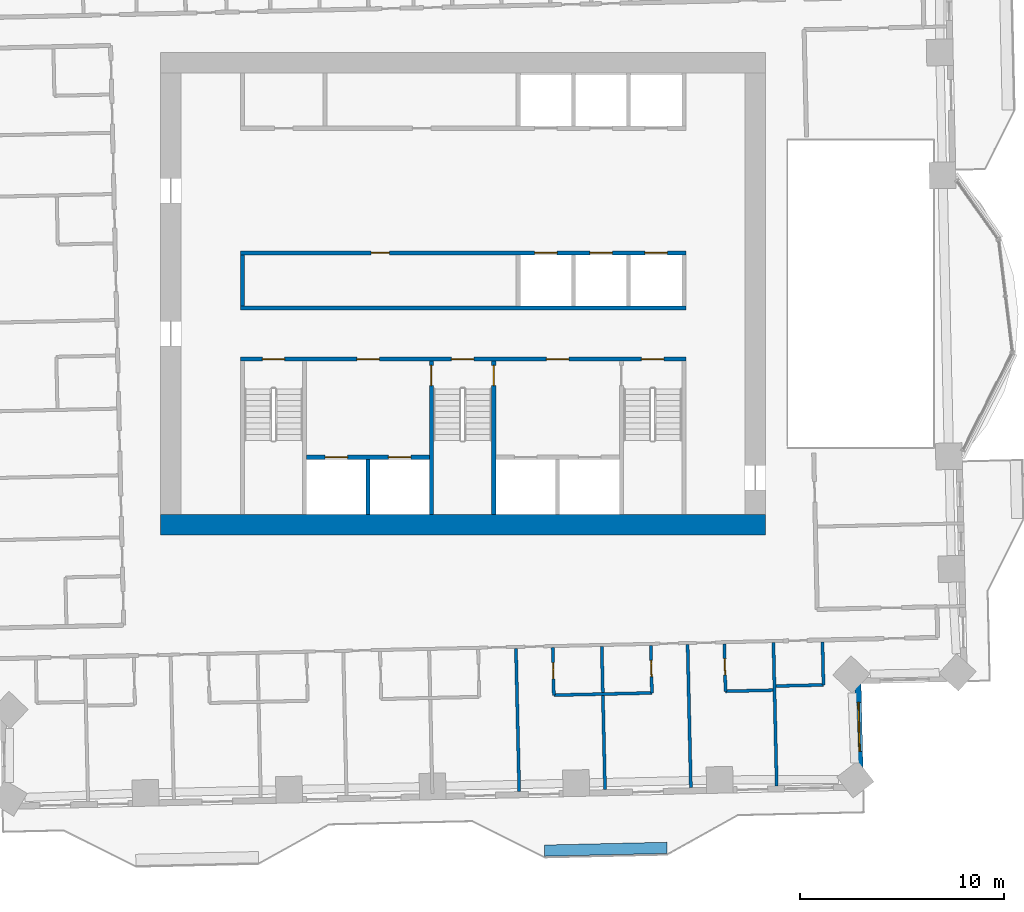
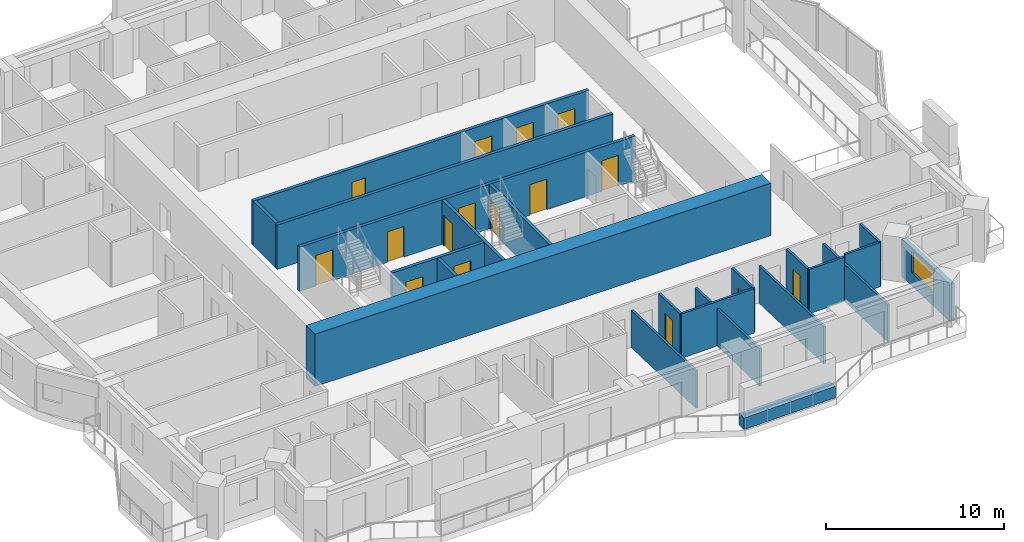
# One storey, part 8 of 16: 22 walls, 16 doors, 1 window, 17 openings.
"""IFC4 building model written with IfcOpenShell, lengths in metres."""

import ifcopenshell
import ifcopenshell.guid

model = None  # the IFC model being written
_history = None  # IfcOwnerHistory: only IFC2X3 demands one
_inside = {}  # id of a spatial element -> (the spatial element, [elements in it])
_under = {}  # id of a project, library or spatial element -> (it, [spatial elements below it])
_declared = {}  # id of a project -> (the project, [libraries it declares])
_typed = {}  # id of a type object -> (the type object, [elements of that type])
_made_of = {}  # id of a material, layer set ... -> (it, [elements and type objects made of it])


def new_model(schema):
    """Start an empty IFC model of exactly this schema.

    Asked for "IFC4X3", IfcOpenShell would pick the latest addendum, in which some entities
    have other attributes; the version numbers below select the first issue.
    IFC2X3 requires an IfcOwnerHistory on every rooted entity: one is made here for all.
    """
    global model, _history
    if schema == "IFC4X3":
        model = ifcopenshell.file(schema_version=(4, 3, 0, 0))
    else:
        model = ifcopenshell.file(schema=schema)
    _inside.clear()
    _under.clear()
    _declared.clear()
    _typed.clear()
    _made_of.clear()
    _history = None
    if model.schema == "IFC2X3":
        org = make("IfcOrganization", Name="unknown")
        user = make(
            "IfcPersonAndOrganization",
            ThePerson=make("IfcPerson", FamilyName="unknown"),
            TheOrganization=org,
        )
        app = make(
            "IfcApplication",
            ApplicationDeveloper=org,
            Version="unknown",
            ApplicationFullName="unknown",
            ApplicationIdentifier="unknown",
        )
        _history = make(
            "IfcOwnerHistory",
            OwningUser=user,
            OwningApplication=app,
            ChangeAction="ADDED",
            CreationDate=0,
        )
    return model


def make(cls, **values):
    """One entity of the class cls with the attributes given. An attribute that is None is left unset."""
    return model.create_entity(
        cls, **{name: value for name, value in values.items() if value is not None}
    )


def rooted(cls, **values):
    """An entity with a GlobalId (a new one), such as an element, a storey or a relation."""
    return make(cls, GlobalId=ifcopenshell.guid.new(), OwnerHistory=_history, **values)


def si_unit(unit_type, name, prefix=None):
    """IfcSIUnit, for example si_unit("LENGTHUNIT", "METRE", prefix="MILLI")."""
    return make("IfcSIUnit", UnitType=unit_type, Prefix=prefix, Name=name)


def assignment(units):
    """IfcUnitAssignment: the units of a project."""
    return None if units is None else make("IfcUnitAssignment", Units=units)


def point(xyz):
    """IfcCartesianPoint."""
    return None if xyz is None else make("IfcCartesianPoint", Coordinates=xyz)


def direction(xyz):
    """IfcDirection."""
    return None if xyz is None else make("IfcDirection", DirectionRatios=xyz)


def frame(location, z_axis=None, x_axis=None):
    """IfcAxis2Placement3D, a coordinate frame: its origin and axes. An axis left out is left unset."""
    return make(
        "IfcAxis2Placement3D",
        Location=point(location),
        Axis=direction(z_axis),
        RefDirection=direction(x_axis),
    )


def frame_2d(location, x_axis=None):
    """IfcAxis2Placement2D, a coordinate frame in the plane: its origin and x axis."""
    return make(
        "IfcAxis2Placement2D", Location=point(location), RefDirection=direction(x_axis)
    )


def origin():
    """The frame at (0, 0, 0) with its axes left unset."""
    return frame((0.0, 0.0, 0.0))


def place(relative_to, where):
    """IfcLocalPlacement: puts the frame where relative to a parent placement (None: the world)."""
    return make(
        "IfcLocalPlacement", PlacementRelTo=relative_to, RelativePlacement=where
    )


def context(
    kind, dimensions, precision=None, world=None, true_north=None, identifier=None
):
    """IfcGeometricRepresentationContext, for example the 3D "Model" context."""
    return make(
        "IfcGeometricRepresentationContext",
        ContextIdentifier=identifier,
        ContextType=kind,
        CoordinateSpaceDimension=dimensions,
        Precision=precision,
        WorldCoordinateSystem=world,
        TrueNorth=true_north,
    )


def subcontext(parent, identifier, kind, view, scale=None):
    """IfcGeometricRepresentationSubContext, for example "Body" below "Model"."""
    return make(
        "IfcGeometricRepresentationSubContext",
        ContextIdentifier=identifier,
        ContextType=kind,
        ParentContext=parent,
        TargetScale=scale,
        TargetView=view,
    )


def project(units=None, contexts=None):
    """IfcProject with its units and contexts."""
    return rooted(
        "IfcProject",
        Name="project",
        RepresentationContexts=contexts,
        UnitsInContext=assignment(units),
    )


def spatial(cls, under=None, at=None, **own):
    """A site, building, storey or space (cls), placed at a placement, below another one or the project."""
    s = rooted(cls, ObjectPlacement=at, **own)
    if under is not None:
        _under.setdefault(under.id(), (under, []))[1].append(s)
    return s


def profile(cls, at=None, kind="AREA", **sizes):
    """A parametric profile (cls). Its sizes go by their IFC names, for example OverallWidth=200.0."""
    return make(cls, ProfileType=kind, Position=at, **sizes)


def rectangle(**sizes):
    """IfcRectangleProfileDef."""
    return profile("IfcRectangleProfileDef", **sizes)


def extrude(swept, where, along, depth):
    """IfcExtrudedAreaSolid: the profile swept, set in the frame where, extruded along a direction by depth."""
    return make(
        "IfcExtrudedAreaSolid",
        SweptArea=swept,
        Position=where,
        ExtrudedDirection=direction(along),
        Depth=depth,
    )


def shape(context_of_items, identifier, shape_type, items):
    """IfcShapeRepresentation: the items that make up one representation, for example the "Body"."""
    return make(
        "IfcShapeRepresentation",
        ContextOfItems=context_of_items,
        RepresentationIdentifier=identifier,
        RepresentationType=shape_type,
        Items=items,
    )


def material(Name=None, Category=None):
    """IfcMaterial."""
    return make("IfcMaterial", Name=Name, Category=Category)


def layer(
    of_material, thickness, ventilated=None, Name=None, Category=None, Priority=None
):
    """IfcMaterialLayer: one layer of a wall or slab, of a material (None: an air gap)."""
    return make(
        "IfcMaterialLayer",
        Material=of_material,
        LayerThickness=thickness,
        IsVentilated=ventilated,
        Name=Name,
        Category=Category,
        Priority=Priority,
    )


def layer_set(layers, Name=None):
    """IfcMaterialLayerSet."""
    return make("IfcMaterialLayerSet", MaterialLayers=layers, LayerSetName=Name)


def made_of(thing, what):
    """Note that an element or type object is made of a material, layer set ...; save() writes the relation."""
    if what is not None:
        _made_of.setdefault(what.id(), (what, []))[1].append(thing)
    return thing


def type_object(cls, material=None, **own):
    """A type object (cls), such as IfcWallType, which elements share."""
    return made_of(rooted(cls, **own), material)


def element(
    cls,
    number,
    at=None,
    inside=None,
    cuts=None,
    type_object=None,
    material=None,
    context=None,
    identifier="Body",
    shape_type=None,
    held_by="IfcProductDefinitionShape",
    body=None,
    shapes=None,
    **own,
):
    """One element of the class cls, such as IfcWall. Its Tag is "e" and its number.

    at: its placement. inside: the storey or other place that contains it. cuts: it is an
    opening in that element (IfcRelVoidsElement). A single representation is given by context,
    identifier, shape_type and body (its items); several are given by shapes. held_by: the class
    of the entity that holds the representations. save() writes the other relations.
    """
    e = rooted(cls, Tag="e%d" % number, ObjectPlacement=at, **own)
    if body is not None:
        shapes = [shape(context, identifier, shape_type, body)]
    if shapes is not None:
        e.Representation = make(held_by, Representations=shapes)
    if inside is not None:
        _inside.setdefault(inside.id(), (inside, []))[1].append(e)
    if cuts is not None:
        rooted(
            "IfcRelVoidsElement", RelatingBuildingElement=cuts, RelatedOpeningElement=e
        )
    if type_object is not None:
        _typed.setdefault(type_object.id(), (type_object, []))[1].append(e)
    return made_of(e, material)


def fill(opening, filler):
    """IfcRelFillsElement: the door or window that sits in an opening."""
    return rooted(
        "IfcRelFillsElement",
        RelatingOpeningElement=opening,
        RelatedBuildingElement=filler,
    )


def aggregate(whole, parts):
    """IfcRelAggregates: a whole, such as a stair, and the parts it consists of."""
    return rooted("IfcRelAggregates", RelatingObject=whole, RelatedObjects=parts)


def save(model, path):
    """Write the relations noted so far, then the file.

    IfcRelAggregates (storeys below a building ...), IfcRelContainedInSpatialStructure (elements
    in a storey), IfcRelDefinesByType, IfcRelAssociatesMaterial and IfcRelDeclares: one each for
    every whole, place, type object, material and project.
    """
    for whole, parts in _under.values():
        aggregate(whole, parts)
    for where, things in _inside.values():
        rooted(
            "IfcRelContainedInSpatialStructure",
            RelatedElements=things,
            RelatingStructure=where,
        )
    for kind, things in _typed.values():
        rooted("IfcRelDefinesByType", RelatedObjects=things, RelatingType=kind)
    for what, things in _made_of.values():
        rooted("IfcRelAssociatesMaterial", RelatedObjects=things, RelatingMaterial=what)
    for by, libraries in _declared.values():
        rooted("IfcRelDeclares", RelatingContext=by, RelatedDefinitions=libraries)
    model.write(path)


model = new_model("IFC4")

# Units and contexts
model_context = context("Model", 3, precision=1e-05, world=origin(), true_north=direction((0.0, 1.0)))
body_context = subcontext(model_context, "Body", "Model", "MODEL_VIEW")
ifc_project = project(units=[si_unit("LENGTHUNIT", "METRE"), si_unit("AREAUNIT", "SQUARE_METRE"), si_unit("VOLUMEUNIT", "CUBIC_METRE"), si_unit("PLANEANGLEUNIT", "RADIAN"), si_unit("MASSUNIT", "GRAM", prefix="KILO")], contexts=[model_context])

# Site, building, storey
site_placement = place(None, origin())
site = spatial("IfcSite", under=ifc_project, at=site_placement, CompositionType="ELEMENT")
building_placement = place(site_placement, origin())
building = spatial("IfcBuilding", under=site, at=building_placement, Name="Mangrove Gate Tower", CompositionType="ELEMENT")
storey_placement = place(building_placement, frame((0.0, 0.0, 133.699951171875)))
storey = spatial("IfcBuildingStorey", under=building, at=storey_placement, Name="L33", CompositionType="ELEMENT", Elevation=133.699951171875)

# Walls
ifc_material_1 = material(Name="Concrete C32/40", Category="concrete")
ifc_layer_1 = layer(ifc_material_1, 0.199951171875)
ifc_layer_set_1 = layer_set([ifc_layer_1], Name="Core room wall 200 C32/40")
wall_type_1 = type_object("IfcWallType", Name="Core room wall 200 C32/40", PredefinedType="STANDARD", material=ifc_layer_set_1)
wall_1_placement = place(storey_placement, frame((-10.800048828125, -0.60009765625, 0.0), z_axis=(0.0, 0.0, 1.0), x_axis=(0.0, 1.0, 0.0)))
element("IfcWall", 1, at=wall_1_placement, inside=storey, type_object=wall_type_1, Name="WALL-L33-CORE-19", PredefinedType="STANDARD", context=body_context, shape_type="SweptSolid", body=[
    extrude(rectangle(XDim=2.5, YDim=0.199951171875, at=frame_2d((1.25, 0.0))), origin(), (0.0, 0.0, 1.0), 3.050048828125),
])
ifc_material_2 = material(Name="Concrete C70/85", Category="concrete")
ifc_layer_2 = layer(ifc_material_2, 0.199951171875)
ifc_layer_set_2 = layer_set([ifc_layer_2], Name="Core shaft wall 200 C70/85")
wall_type_2 = type_object("IfcWallType", Name="Core shaft wall 200 C70/85", PredefinedType="SHEAR", material=ifc_layer_set_2)
wall_2_placement = place(storey_placement, frame((-10.89990234375, -0.699951171875, 0.0), z_axis=(0.0, 0.0, 1.0), x_axis=(1.0, 0.0, 0.0)))
element("IfcWall", 2, at=wall_2_placement, inside=storey, type_object=wall_type_2, Name="WALL-L33-CORE-6", PredefinedType="SHEAR", context=body_context, shape_type="SweptSolid", body=[
    extrude(rectangle(XDim=21.7998046875, YDim=0.199951171875, at=frame_2d((10.89990234375, 0.0))), origin(), (0.0, 0.0, 1.0), 3.050048828125),
])

# Wall, openings, doors
wall_3_placement = place(storey_placement, frame((-10.89990234375, 2.0, 0.0), z_axis=(0.0, 0.0, 1.0), x_axis=(1.0, 0.0, 0.0)))
wall_3 = element("IfcWall", 3, at=wall_3_placement, inside=storey, type_object=wall_type_2, Name="WALL-L33-CORE-7", PredefinedType="SHEAR", context=body_context, shape_type="SweptSolid", body=[
    extrude(rectangle(XDim=21.7998046875, YDim=0.199951171875, at=frame_2d((10.89990234375, 0.0))), origin(), (0.0, 0.0, 1.0), 3.050048828125),
])
opening_1_placement = place(wall_3_placement, frame((14.39990234375, 0.0, 0.0)))
opening_1 = element("IfcOpeningElement", 4, at=opening_1_placement, cuts=wall_3, Name="Opening LD", PredefinedType="OPENING", context=body_context, shape_type="SweptSolid", body=[
    extrude(rectangle(XDim=1.10009765625, YDim=2.10009765625, at=frame_2d((0.550048828125, 1.050048828125))), frame((0.0, 0.10986328125, 0.0), z_axis=(0.0, -1.0, 0.0), x_axis=(1.0, 0.0, 0.0)), (0.0, 0.0, 1.0), 0.219970703125),
])
opening_2_placement = place(wall_3_placement, frame((17.10009765625, 0.0, 0.0)))
opening_2 = element("IfcOpeningElement", 5, at=opening_2_placement, cuts=wall_3, Name="Opening LD", PredefinedType="OPENING", context=body_context, shape_type="SweptSolid", body=[
    extrude(rectangle(XDim=1.10009765625, YDim=2.10009765625, at=frame_2d((0.550048828125, 1.050048828125))), frame((0.0, 0.10986328125, 0.0), z_axis=(0.0, -1.0, 0.0), x_axis=(1.0, 0.0, 0.0)), (0.0, 0.0, 1.0), 0.219970703125),
])
opening_3_placement = place(wall_3_placement, frame((19.800048828125, 0.0, 0.0)))
opening_3 = element("IfcOpeningElement", 6, at=opening_3_placement, cuts=wall_3, Name="Opening LD", PredefinedType="OPENING", context=body_context, shape_type="SweptSolid", body=[
    extrude(rectangle(XDim=1.10009765625, YDim=2.10009765625, at=frame_2d((0.550048828125, 1.050048828125))), frame((0.0, 0.10986328125, 0.0), z_axis=(0.0, -1.0, 0.0), x_axis=(1.0, 0.0, 0.0)), (0.0, 0.0, 1.0), 0.219970703125),
])
opening_4_placement = place(wall_3_placement, frame((6.39990234375, 0.0, 0.0)))
opening_4 = element("IfcOpeningElement", 7, at=opening_4_placement, cuts=wall_3, Name="Opening KD", PredefinedType="OPENING", context=body_context, shape_type="SweptSolid", body=[
    extrude(rectangle(XDim=0.89990234375, YDim=2.10009765625, at=frame_2d((0.449951171875, 1.050048828125))), frame((0.0, 0.10986328125, 0.0), z_axis=(0.0, -1.0, 0.0), x_axis=(1.0, 0.0, 0.0)), (0.0, 0.0, 1.0), 0.219970703125),
])
ifc_material_3 = material(Name="Fire-rated steel door set", Category="steel")
door_type_1 = type_object("IfcDoorType", Name="Core room door FD30S 900x2100", OperationType="SINGLE_SWING_RIGHT", PredefinedType="DOOR", material=ifc_material_3)
door_1_placement = place(opening_4_placement, origin())
door_1 = element("IfcDoor", 8, at=door_1_placement, inside=storey, type_object=door_type_1, Name="Core room door Core WC", OperationType="SINGLE_SWING_RIGHT", OverallHeight=2.10009765625, OverallWidth=0.89990234375, PredefinedType="DOOR", context=body_context, shape_type="SweptSolid", body=[
    extrude(rectangle(XDim=0.89990234375, YDim=2.10009765625, at=frame_2d((0.449951171875, 1.050048828125))), frame((0.0, 0.02490234375, 0.0), z_axis=(0.0, -1.0, 0.0), x_axis=(1.0, 0.0, 0.0)), (0.0, 0.0, 1.0), 0.050048828125),
])
fill(opening_4, door_1)
ifc_material_4 = material(Name="Stainless steel 316", Category="steel")
door_type_2 = type_object("IfcDoorType", Name="Lift landing door 1100x2100", OperationType="SLIDING_TO_LEFT", PredefinedType="DOOR", material=ifc_material_4)
door_2_placement = place(opening_1_placement, origin())
door_2 = element("IfcDoor", 9, at=door_2_placement, inside=storey, type_object=door_type_2, Name="Landing door LD M01", OperationType="SLIDING_TO_LEFT", OverallHeight=2.10009765625, OverallWidth=1.10009765625, PredefinedType="DOOR", context=body_context, shape_type="SweptSolid", body=[
    extrude(rectangle(XDim=1.10009765625, YDim=2.10009765625, at=frame_2d((0.550048828125, 1.050048828125))), frame((0.0, 0.02490234375, 0.0), z_axis=(0.0, -1.0, 0.0), x_axis=(1.0, 0.0, 0.0)), (0.0, 0.0, 1.0), 0.050048828125),
])
fill(opening_1, door_2)
door_3_placement = place(opening_2_placement, origin())
door_3 = element("IfcDoor", 10, at=door_3_placement, inside=storey, type_object=door_type_2, Name="Landing door LD M02", OperationType="SLIDING_TO_LEFT", OverallHeight=2.10009765625, OverallWidth=1.10009765625, PredefinedType="DOOR", context=body_context, shape_type="SweptSolid", body=[
    extrude(rectangle(XDim=1.10009765625, YDim=2.10009765625, at=frame_2d((0.550048828125, 1.050048828125))), frame((0.0, 0.02490234375, 0.0), z_axis=(0.0, -1.0, 0.0), x_axis=(1.0, 0.0, 0.0)), (0.0, 0.0, 1.0), 0.050048828125),
])
fill(opening_2, door_3)
door_4_placement = place(opening_3_placement, origin())
door_4 = element("IfcDoor", 11, at=door_4_placement, inside=storey, type_object=door_type_2, Name="Landing door LD M03", OperationType="SLIDING_TO_LEFT", OverallHeight=2.10009765625, OverallWidth=1.10009765625, PredefinedType="DOOR", context=body_context, shape_type="SweptSolid", body=[
    extrude(rectangle(XDim=1.10009765625, YDim=2.10009765625, at=frame_2d((0.550048828125, 1.050048828125))), frame((0.0, 0.02490234375, 0.0), z_axis=(0.0, -1.0, 0.0), x_axis=(1.0, 0.0, 0.0)), (0.0, 0.0, 1.0), 0.050048828125),
])
fill(opening_3, door_4)

wall_4_placement = place(storey_placement, frame((-7.64990234375, -8.0, 0.0), z_axis=(0.0, 0.0, 1.0), x_axis=(1.0, 0.0, 0.0)))
wall_4 = element("IfcWall", 12, at=wall_4_placement, inside=storey, type_object=wall_type_2, Name="WALL-L33-CORE-15", PredefinedType="SHEAR", context=body_context, shape_type="SweptSolid", body=[
    extrude(rectangle(XDim=6.0, YDim=0.199951171875, at=frame_2d((3.0, 0.0))), origin(), (0.0, 0.0, 1.0), 3.050048828125),
])
opening_5_placement = place(wall_4_placement, frame((0.89990234375, 0.0, 0.0)))
opening_5 = element("IfcOpeningElement", 13, at=opening_5_placement, cuts=wall_4, Name="Opening LD", PredefinedType="OPENING", context=body_context, shape_type="SweptSolid", body=[
    extrude(rectangle(XDim=1.10009765625, YDim=2.10009765625, at=frame_2d((0.550048828125, 1.050048828125))), frame((0.0, 0.10986328125, 0.0), z_axis=(0.0, -1.0, 0.0), x_axis=(1.0, 0.0, 0.0)), (0.0, 0.0, 1.0), 0.219970703125),
])
opening_6_placement = place(wall_4_placement, frame((4.0, 0.0, 0.0)))
opening_6 = element("IfcOpeningElement", 14, at=opening_6_placement, cuts=wall_4, Name="Opening LD", PredefinedType="OPENING", context=body_context, shape_type="SweptSolid", body=[
    extrude(rectangle(XDim=1.10009765625, YDim=2.10009765625, at=frame_2d((0.550048828125, 1.050048828125))), frame((0.0, 0.10986328125, 0.0), z_axis=(0.0, -1.0, 0.0), x_axis=(1.0, 0.0, 0.0)), (0.0, 0.0, 1.0), 0.219970703125),
])
door_5_placement = place(opening_5_placement, origin())
door_5 = element("IfcDoor", 15, at=door_5_placement, inside=storey, type_object=door_type_2, Name="Landing door LD SVL1", OperationType="SLIDING_TO_LEFT", OverallHeight=2.10009765625, OverallWidth=1.10009765625, PredefinedType="DOOR", context=body_context, shape_type="SweptSolid", body=[
    extrude(rectangle(XDim=1.10009765625, YDim=2.10009765625, at=frame_2d((0.550048828125, 1.050048828125))), frame((0.0, 0.02490234375, 0.0), z_axis=(0.0, -1.0, 0.0), x_axis=(1.0, 0.0, 0.0)), (0.0, 0.0, 1.0), 0.050048828125),
])
fill(opening_5, door_5)
door_6_placement = place(opening_6_placement, origin())
door_6 = element("IfcDoor", 16, at=door_6_placement, inside=storey, type_object=door_type_2, Name="Landing door LD SVL2", OperationType="SLIDING_TO_LEFT", OverallHeight=2.10009765625, OverallWidth=1.10009765625, PredefinedType="DOOR", context=body_context, shape_type="SweptSolid", body=[
    extrude(rectangle(XDim=1.10009765625, YDim=2.10009765625, at=frame_2d((0.550048828125, 1.050048828125))), frame((0.0, 0.02490234375, 0.0), z_axis=(0.0, -1.0, 0.0), x_axis=(1.0, 0.0, 0.0)), (0.0, 0.0, 1.0), 0.050048828125),
])
fill(opening_6, door_6)

# Wall
wall_5_placement = place(storey_placement, frame((-4.64990234375, -10.800048828125, 0.0), z_axis=(0.0, 0.0, 1.0), x_axis=(0.0, 1.0, 0.0)))
element("IfcWall", 17, at=wall_5_placement, inside=storey, type_object=wall_type_2, Name="WALL-L33-CORE-16", PredefinedType="SHEAR", context=body_context, shape_type="SweptSolid", body=[
    extrude(rectangle(XDim=2.699951171875, YDim=0.199951171875, at=frame_2d((1.35009765625, 0.0))), origin(), (0.0, 0.0, 1.0), 3.050048828125),
])

# Wall, openings, doors
ifc_material_5 = material(Name="Concrete C70/85", Category="concrete")
ifc_layer_3 = layer(ifc_material_5, 0.199951171875)
ifc_layer_set_3 = layer_set([ifc_layer_3], Name="Core stair wall 200 C70/85")
wall_type_3 = type_object("IfcWallType", Name="Core stair wall 200 C70/85", PredefinedType="SHEAR", material=ifc_layer_set_3)
wall_6_placement = place(storey_placement, frame((-10.89990234375, -3.199951171875, 0.0), z_axis=(0.0, 0.0, 1.0), x_axis=(1.0, 0.0, 0.0)))
wall_6 = element("IfcWall", 18, at=wall_6_placement, inside=storey, type_object=wall_type_3, Name="WALL-L33-CORE-5", PredefinedType="SHEAR", context=body_context, shape_type="SweptSolid", body=[
    extrude(rectangle(XDim=21.7998046875, YDim=0.199951171875, at=frame_2d((10.89990234375, 0.0))), origin(), (0.0, 0.0, 1.0), 3.050048828125),
])
opening_7_placement = place(wall_6_placement, frame((1.074951171875, 0.0, 0.0)))
opening_7 = element("IfcOpeningElement", 19, at=opening_7_placement, cuts=wall_6, Name="Opening STD11", PredefinedType="OPENING", context=body_context, shape_type="SweptSolid", body=[
    extrude(rectangle(XDim=1.10009765625, YDim=2.10009765625, at=frame_2d((0.550048828125, 1.050048828125))), frame((0.0, 0.10986328125, 0.0), z_axis=(0.0, -1.0, 0.0), x_axis=(1.0, 0.0, 0.0)), (0.0, 0.0, 1.0), 0.219970703125),
])
opening_8_placement = place(wall_6_placement, frame((10.324951171875, 0.0, 0.0)))
opening_8 = element("IfcOpeningElement", 20, at=opening_8_placement, cuts=wall_6, Name="Opening STD11", PredefinedType="OPENING", context=body_context, shape_type="SweptSolid", body=[
    extrude(rectangle(XDim=1.10009765625, YDim=2.10009765625, at=frame_2d((0.550048828125, 1.050048828125))), frame((0.0, 0.10986328125, 0.0), z_axis=(0.0, -1.0, 0.0), x_axis=(1.0, 0.0, 0.0)), (0.0, 0.0, 1.0), 0.219970703125),
])
opening_9_placement = place(wall_6_placement, frame((19.625, 0.0, 0.0)))
opening_9 = element("IfcOpeningElement", 21, at=opening_9_placement, cuts=wall_6, Name="Opening STD11", PredefinedType="OPENING", context=body_context, shape_type="SweptSolid", body=[
    extrude(rectangle(XDim=1.10009765625, YDim=2.10009765625, at=frame_2d((0.550048828125, 1.050048828125))), frame((0.0, 0.10986328125, 0.0), z_axis=(0.0, -1.0, 0.0), x_axis=(1.0, 0.0, 0.0)), (0.0, 0.0, 1.0), 0.219970703125),
])
opening_10_placement = place(wall_6_placement, frame((5.699951171875, 0.0, 0.0)))
opening_10 = element("IfcOpeningElement", 22, at=opening_10_placement, cuts=wall_6, Name="Opening FL", PredefinedType="OPENING", context=body_context, shape_type="SweptSolid", body=[
    extrude(rectangle(XDim=1.10009765625, YDim=2.10009765625, at=frame_2d((0.550048828125, 1.050048828125))), frame((0.0, 0.10986328125, 0.0), z_axis=(0.0, -1.0, 0.0), x_axis=(1.0, 0.0, 0.0)), (0.0, 0.0, 1.0), 0.219970703125),
])
opening_11_placement = place(wall_6_placement, frame((14.97509765625, 0.0, 0.0)))
opening_11 = element("IfcOpeningElement", 23, at=opening_11_placement, cuts=wall_6, Name="Opening FL", PredefinedType="OPENING", context=body_context, shape_type="SweptSolid", body=[
    extrude(rectangle(XDim=1.10009765625, YDim=2.10009765625, at=frame_2d((0.550048828125, 1.050048828125))), frame((0.0, 0.10986328125, 0.0), z_axis=(0.0, -1.0, 0.0), x_axis=(1.0, 0.0, 0.0)), (0.0, 0.0, 1.0), 0.219970703125),
])
ifc_material_6 = material(Name="Fire-rated steel door set", Category="steel")
door_type_3 = type_object("IfcDoorType", Name="Lobby door FD60 1100x2100", OperationType="SINGLE_SWING_LEFT", PredefinedType="DOOR", material=ifc_material_6)
door_7_placement = place(opening_10_placement, origin())
door_7 = element("IfcDoor", 24, at=door_7_placement, inside=storey, type_object=door_type_3, Name="Lobby door service lobby", OperationType="SINGLE_SWING_LEFT", OverallHeight=2.10009765625, OverallWidth=1.10009765625, PredefinedType="DOOR", context=body_context, shape_type="SweptSolid", body=[
    extrude(rectangle(XDim=1.10009765625, YDim=2.10009765625, at=frame_2d((0.550048828125, 1.050048828125))), frame((0.0, 0.02490234375, 0.0), z_axis=(0.0, -1.0, 0.0), x_axis=(1.0, 0.0, 0.0)), (0.0, 0.0, 1.0), 0.050048828125),
])
fill(opening_10, door_7)
door_8_placement = place(opening_11_placement, origin())
door_8 = element("IfcDoor", 25, at=door_8_placement, inside=storey, type_object=door_type_3, Name="Lobby door fire-fighting lobby", OperationType="SINGLE_SWING_LEFT", OverallHeight=2.10009765625, OverallWidth=1.10009765625, PredefinedType="DOOR", context=body_context, shape_type="SweptSolid", body=[
    extrude(rectangle(XDim=1.10009765625, YDim=2.10009765625, at=frame_2d((0.550048828125, 1.050048828125))), frame((0.0, 0.02490234375, 0.0), z_axis=(0.0, -1.0, 0.0), x_axis=(1.0, 0.0, 0.0)), (0.0, 0.0, 1.0), 0.050048828125),
])
fill(opening_11, door_8)
ifc_material_7 = material(Name="Fire-rated steel door set", Category="steel")
door_type_4 = type_object("IfcDoorType", Name="Stair door FD60 1100x2100", OperationType="SINGLE_SWING_RIGHT", PredefinedType="DOOR", material=ifc_material_7)
door_9_placement = place(opening_7_placement, origin())
door_9 = element("IfcDoor", 26, at=door_9_placement, inside=storey, type_object=door_type_4, Name="Stair door Stair 1", OperationType="SINGLE_SWING_RIGHT", OverallHeight=2.10009765625, OverallWidth=1.10009765625, PredefinedType="DOOR", context=body_context, shape_type="SweptSolid", body=[
    extrude(rectangle(XDim=1.10009765625, YDim=2.10009765625, at=frame_2d((0.550048828125, 1.050048828125))), frame((0.0, 0.02490234375, 0.0), z_axis=(0.0, -1.0, 0.0), x_axis=(1.0, 0.0, 0.0)), (0.0, 0.0, 1.0), 0.050048828125),
])
fill(opening_7, door_9)
door_10_placement = place(opening_8_placement, origin())
door_10 = element("IfcDoor", 27, at=door_10_placement, inside=storey, type_object=door_type_4, Name="Stair door Stair 2", OperationType="SINGLE_SWING_RIGHT", OverallHeight=2.10009765625, OverallWidth=1.10009765625, PredefinedType="DOOR", context=body_context, shape_type="SweptSolid", body=[
    extrude(rectangle(XDim=1.10009765625, YDim=2.10009765625, at=frame_2d((0.550048828125, 1.050048828125))), frame((0.0, 0.02490234375, 0.0), z_axis=(0.0, -1.0, 0.0), x_axis=(1.0, 0.0, 0.0)), (0.0, 0.0, 1.0), 0.050048828125),
])
fill(opening_8, door_10)
door_11_placement = place(opening_9_placement, origin())
door_11 = element("IfcDoor", 28, at=door_11_placement, inside=storey, type_object=door_type_4, Name="Stair door Stair 3", OperationType="SINGLE_SWING_RIGHT", OverallHeight=2.10009765625, OverallWidth=1.10009765625, PredefinedType="DOOR", context=body_context, shape_type="SweptSolid", body=[
    extrude(rectangle(XDim=1.10009765625, YDim=2.10009765625, at=frame_2d((0.550048828125, 1.050048828125))), frame((0.0, 0.02490234375, 0.0), z_axis=(0.0, -1.0, 0.0), x_axis=(1.0, 0.0, 0.0)), (0.0, 0.0, 1.0), 0.050048828125),
])
fill(opening_9, door_11)

# Wall, opening, door
wall_7_placement = place(storey_placement, frame((-1.550048828125, -10.800048828125, 0.0), z_axis=(0.0, 0.0, 1.0), x_axis=(0.0, 1.0, 0.0)))
wall_7 = element("IfcWall", 29, at=wall_7_placement, inside=storey, type_object=wall_type_3, Name="WALL-L33-CORE-11", PredefinedType="SHEAR", context=body_context, shape_type="SweptSolid", body=[
    extrude(rectangle(XDim=7.5, YDim=0.199951171875, at=frame_2d((3.75, 0.0))), origin(), (0.0, 0.0, 1.0), 3.050048828125),
])
opening_12_placement = place(wall_7_placement, frame((6.300048828125, 0.0, 0.0)))
opening_12 = element("IfcOpeningElement", 30, at=opening_12_placement, cuts=wall_7, Name="Opening STD10", PredefinedType="OPENING", context=body_context, shape_type="SweptSolid", body=[
    extrude(rectangle(XDim=1.0, YDim=2.10009765625, at=frame_2d((0.5, 1.050048828125))), frame((0.0, 0.10986328125, 0.0), z_axis=(0.0, -1.0, 0.0), x_axis=(1.0, 0.0, 0.0)), (0.0, 0.0, 1.0), 0.219970703125),
])
ifc_material_8 = material(Name="Fire-rated steel door set", Category="steel")
door_type_5 = type_object("IfcDoorType", Name="Stair door FD60 1000x2100", OperationType="SINGLE_SWING_RIGHT", PredefinedType="DOOR", material=ifc_material_8)
door_12_placement = place(opening_12_placement, origin())
door_12 = element("IfcDoor", 31, at=door_12_placement, inside=storey, type_object=door_type_5, Name="Stair door Stair 2 from service lobby", OperationType="SINGLE_SWING_RIGHT", OverallHeight=2.10009765625, OverallWidth=1.0, PredefinedType="DOOR", context=body_context, shape_type="SweptSolid", body=[
    extrude(rectangle(XDim=1.0, YDim=2.10009765625, at=frame_2d((0.5, 1.050048828125))), frame((0.0, 0.02490234375, 0.0), z_axis=(0.0, -1.0, 0.0), x_axis=(1.0, 0.0, 0.0)), (0.0, 0.0, 1.0), 0.050048828125),
])
fill(opening_12, door_12)

wall_8_placement = place(storey_placement, frame((1.5, -10.800048828125, 0.0), z_axis=(0.0, 0.0, 1.0), x_axis=(0.0, 1.0, 0.0)))
wall_8 = element("IfcWall", 32, at=wall_8_placement, inside=storey, type_object=wall_type_3, Name="WALL-L33-CORE-12", PredefinedType="SHEAR", context=body_context, shape_type="SweptSolid", body=[
    extrude(rectangle(XDim=7.5, YDim=0.199951171875, at=frame_2d((3.75, 0.0))), origin(), (0.0, 0.0, 1.0), 3.050048828125),
])
opening_13_placement = place(wall_8_placement, frame((6.300048828125, 0.0, 0.0)))
opening_13 = element("IfcOpeningElement", 33, at=opening_13_placement, cuts=wall_8, Name="Opening STD10", PredefinedType="OPENING", context=body_context, shape_type="SweptSolid", body=[
    extrude(rectangle(XDim=1.0, YDim=2.10009765625, at=frame_2d((0.5, 1.050048828125))), frame((0.0, 0.10986328125, 0.0), z_axis=(0.0, -1.0, 0.0), x_axis=(1.0, 0.0, 0.0)), (0.0, 0.0, 1.0), 0.219970703125),
])
door_13_placement = place(opening_13_placement, origin())
door_13 = element("IfcDoor", 34, at=door_13_placement, inside=storey, type_object=door_type_5, Name="Stair door Stair 2 from fire-fighting lobby", OperationType="SINGLE_SWING_RIGHT", OverallHeight=2.10009765625, OverallWidth=1.0, PredefinedType="DOOR", context=body_context, shape_type="SweptSolid", body=[
    extrude(rectangle(XDim=1.0, YDim=2.10009765625, at=frame_2d((0.5, 1.050048828125))), frame((0.0, 0.02490234375, 0.0), z_axis=(0.0, -1.0, 0.0), x_axis=(1.0, 0.0, 0.0)), (0.0, 0.0, 1.0), 0.050048828125),
])
fill(opening_13, door_13)

# Wall
ifc_material_9 = material(Name="Concrete C70/85", Category="concrete")
ifc_layer_4 = layer(ifc_material_9, 1.0)
ifc_layer_set_4 = layer_set([ifc_layer_4], Name="Core wall 1000 C70/85")
wall_type_4 = type_object("IfcWallType", Name="Core wall 1000 C70/85", PredefinedType="SHEAR", material=ifc_layer_set_4)
wall_9_placement = place(storey_placement, frame((-14.800048828125, -11.300048828125, 0.0), z_axis=(0.0, 0.0, 1.0), x_axis=(1.0, 0.0, 0.0)))
element("IfcWall", 35, at=wall_9_placement, inside=storey, type_object=wall_type_4, Name="WALL-L33-CORE-1", PredefinedType="SHEAR", context=body_context, shape_type="SweptSolid", body=[
    extrude(rectangle(XDim=29.60009765625, YDim=1.0, at=frame_2d((14.800048828125, 0.0))), origin(), (0.0, 0.0, 1.0), 3.60009765625),
])

# Wall, opening, window
ifc_material_10 = material(Name="Limestone", Category="masonry")
ifc_layer_5 = layer(ifc_material_10, 0.0400390625, Name="Limestone cladding")
ifc_material_11 = material(Name="Ventilated air gap")
ifc_layer_6 = layer(ifc_material_11, 0.0400390625, Name="Ventilated cavity")
ifc_material_12 = material(Name="Mineral wool insulation")
ifc_layer_7 = layer(ifc_material_12, 0.06005859375, Name="Insulation")
ifc_material_13 = material(Name="Breather membrane")
ifc_layer_8 = layer(ifc_material_13, 0.001953125, Name="Breather membrane")
ifc_material_14 = material(Name="Concrete C20/25 blockwork", Category="masonry")
ifc_layer_9 = layer(ifc_material_14, 0.14990234375, Name="Blockwork backing wall")
ifc_material_15 = material(Name="Gypsum plaster")
ifc_layer_10 = layer(ifc_material_15, 0.008056640625, Name="Internal plaster")
ifc_layer_set_5 = layer_set([ifc_layer_5, ifc_layer_6, ifc_layer_7, ifc_layer_8, ifc_layer_9, ifc_layer_10], Name="External wall 300 limestone cladding")
wall_type_5 = type_object("IfcWallType", Name="External wall 300 limestone cladding", PredefinedType="SOLIDWALL", material=ifc_layer_set_5)
wall_10_placement = place(storey_placement, frame((19.43701171875, -24.12890625, 0.0), z_axis=(0.0, 0.0, 1.0), x_axis=(-0.022675548694, 0.99974287669, 0.0)))
wall_10 = element("IfcWall", 36, at=wall_10_placement, inside=storey, type_object=wall_type_5, Name="WALL-L33-E14", PredefinedType="SOLIDWALL", context=body_context, shape_type="SweptSolid", body=[
    extrude(rectangle(XDim=5.2001953125, YDim=0.300048828125, at=frame_2d((2.60009765625, 0.0))), origin(), (0.0, 0.0, 1.0), 2.550048828125),
])
opening_14_placement = place(wall_10_placement, frame((1.736083984375, 0.0, 0.89990234375)))
opening_14 = element("IfcOpeningElement", 37, at=opening_14_placement, cuts=wall_10, Name="Opening W2", PredefinedType="OPENING", context=body_context, shape_type="SweptSolid", body=[
    extrude(rectangle(XDim=2.39990234375, YDim=1.5, at=frame_2d((1.199951171875, 0.75))), frame((0.0, 0.159912109375, 0.0), z_axis=(0.0, -1.0, 0.0), x_axis=(1.0, 0.0, 0.0)), (0.0, 0.0, 1.0), 0.320068359375),
])
ifc_material_16 = material(Name="Aluminium frame with double-glazed low-e glass", Category="aluminium")
window_type = type_object("IfcWindowType", Name="Corner room window 2400x1500", PartitioningType="DOUBLE_PANEL_VERTICAL", PredefinedType="WINDOW", material=ifc_material_16)
window_placement = place(opening_14_placement, origin())
window = element("IfcWindow", 38, at=window_placement, inside=storey, type_object=window_type, Name="WIN-L33-E14-1", OverallHeight=1.5, OverallWidth=2.39990234375, PartitioningType="DOUBLE_PANEL_VERTICAL", PredefinedType="WINDOW", context=body_context, shape_type="SweptSolid", body=[
    extrude(rectangle(XDim=2.39990234375, YDim=1.5, at=frame_2d((1.199951171875, 0.75))), frame((0.0, 0.030029296875, 0.0), z_axis=(0.0, -1.0, 0.0), x_axis=(1.0, 0.0, 0.0)), (0.0, 0.0, 1.0), 0.06005859375),
])
fill(opening_14, window)

# Walls
ifc_material_17 = material(Name="Gypsum board on steel stud, EI 60", Category="steel")
ifc_layer_11 = layer(ifc_material_17, 0.14990234375)
ifc_layer_set_6 = layer_set([ifc_layer_11], Name="Party wall 150 EI 60")
wall_type_6 = type_object("IfcWallType", Name="Party wall 150 EI 60", PredefinedType="PARTITIONING", material=ifc_layer_set_6)
wall_11_placement = place(storey_placement, frame((2.74609375, -24.35791015625, 0.0), z_axis=(0.0, 0.0, 1.0), x_axis=(-0.022734078158, 0.999741547446, 0.0)))
element("IfcWall", 39, at=wall_11_placement, inside=storey, type_object=wall_type_6, Name="WALL-L33-006", PredefinedType="PARTITIONING", context=body_context, shape_type="SweptSolid", body=[
    extrude(rectangle(XDim=7.001708984375, YDim=0.14990234375, at=frame_2d((3.5009765625, 0.0))), origin(), (0.0, 0.0, 1.0), 2.550048828125),
])
wall_12_placement = place(storey_placement, frame((6.945068359375, -24.261962890625, 0.0), z_axis=(0.0, 0.0, 1.0), x_axis=(-0.022737248567, 0.999741475346, 0.0)))
element("IfcWall", 40, at=wall_12_placement, inside=storey, type_object=wall_type_6, Name="WALL-L33-007", PredefinedType="PARTITIONING", context=body_context, shape_type="SweptSolid", body=[
    extrude(rectangle(XDim=7.000732421875, YDim=0.14990234375, at=frame_2d((3.50048828125, 0.0))), origin(), (0.0, 0.0, 1.0), 2.550048828125),
])
for number, where, z_axis, x_axis, name in (
    (41, (11.14404296875, -24.1669921875, 0.0), (0.0, 0.0, 1.0), (-0.022699227919, 0.999742339331, 0.0), "WALL-L33-008"),
    (42, (15.343017578125, -24.072021484375, 0.0), (0.0, 0.0, 1.0), (-0.022699227919, 0.999742339331, 0.0), "WALL-L33-009"),
):
    element("IfcWall", number, at=place(storey_placement, frame(where, z_axis=z_axis, x_axis=x_axis)), inside=storey, type_object=wall_type_6, Name=name, PredefinedType="PARTITIONING", context=body_context, shape_type="SweptSolid", body=[
        extrude(rectangle(XDim=7.001708984375, YDim=0.14990234375, at=frame_2d((3.5009765625, 0.0))), origin(), (0.0, 0.0, 1.0), 2.550048828125),
    ])

# Wall, opening, door
wall_13_placement = place(storey_placement, frame((4.43994140625, -19.64208984375, 0.0), z_axis=(0.0, 0.0, 1.0), x_axis=(-0.022778632478, 0.99974053329, 0.0)))
wall_13 = element("IfcWall", 43, at=wall_13_placement, inside=storey, type_object=wall_type_6, Name="WALL-L33-015", PredefinedType="PARTITIONING", context=body_context, shape_type="SweptSolid", body=[
    extrude(rectangle(XDim=2.32568359375, YDim=0.14990234375, at=frame_2d((1.162841796875, 0.0))), origin(), (0.0, 0.0, 1.0), 3.050048828125),
])
opening_15_placement = place(wall_13_placement, frame((0.800048828125, 0.0, 0.0)))
opening_15 = element("IfcOpeningElement", 44, at=opening_15_placement, cuts=wall_13, Name="Opening ED", PredefinedType="OPENING", context=body_context, shape_type="SweptSolid", body=[
    extrude(rectangle(XDim=0.800048828125, YDim=2.10009765625, at=frame_2d((0.39990234375, 1.050048828125))), frame((0.0, 0.0849609375, 0.0), z_axis=(0.0, -1.0, 0.0), x_axis=(1.0, 0.0, 0.0)), (0.0, 0.0, 1.0), 0.169921875),
])
ifc_material_18 = material(Name="Timber door leaf", Category="wood")
door_type_6 = type_object("IfcDoorType", Name="En-suite door 800", OperationType="SINGLE_SWING_LEFT", PredefinedType="DOOR", material=ifc_material_18)
door_14_placement = place(opening_15_placement, origin())
door_14 = element("IfcDoor", 45, at=door_14_placement, inside=storey, type_object=door_type_6, Name="DOOR-L33-ENS-c206", OperationType="SINGLE_SWING_RIGHT", OverallHeight=2.10009765625, OverallWidth=0.800048828125, PredefinedType="DOOR", context=body_context, shape_type="SweptSolid", body=[
    extrude(rectangle(XDim=0.800048828125, YDim=2.10009765625, at=frame_2d((0.39990234375, 1.050048828125))), frame((0.0, 0.02490234375, 0.0), z_axis=(0.0, -1.0, 0.0), x_axis=(1.0, 0.0, 0.0)), (0.0, 0.0, 1.0), 0.050048828125),
])
fill(opening_15, door_14)

wall_14_placement = place(storey_placement, frame((9.239013671875, -19.532958984375, 0.0), z_axis=(0.0, 0.0, 1.0), x_axis=(-0.022781023197, 0.999740478815, 0.0)))
wall_14 = element("IfcWall", 46, at=wall_14_placement, inside=storey, type_object=wall_type_6, Name="WALL-L33-016", PredefinedType="PARTITIONING", context=body_context, shape_type="SweptSolid", body=[
    extrude(rectangle(XDim=2.325439453125, YDim=0.14990234375, at=frame_2d((1.16259765625, 0.0))), origin(), (0.0, 0.0, 1.0), 3.050048828125),
])
opening_16_placement = place(wall_14_placement, frame((0.800048828125, 0.0, 0.0)))
opening_16 = element("IfcOpeningElement", 47, at=opening_16_placement, cuts=wall_14, Name="Opening ED", PredefinedType="OPENING", context=body_context, shape_type="SweptSolid", body=[
    extrude(rectangle(XDim=0.800048828125, YDim=2.10009765625, at=frame_2d((0.39990234375, 1.050048828125))), frame((0.0, 0.0849609375, 0.0), z_axis=(0.0, -1.0, 0.0), x_axis=(1.0, 0.0, 0.0)), (0.0, 0.0, 1.0), 0.169921875),
])
door_15_placement = place(opening_16_placement, origin())
door_15 = element("IfcDoor", 48, at=door_15_placement, inside=storey, type_object=door_type_6, Name="DOOR-L33-ENS-c307", OperationType="SINGLE_SWING_LEFT", OverallHeight=2.10009765625, OverallWidth=0.800048828125, PredefinedType="DOOR", context=body_context, shape_type="SweptSolid", body=[
    extrude(rectangle(XDim=0.800048828125, YDim=2.10009765625, at=frame_2d((0.39990234375, 1.050048828125))), frame((0.0, 0.02490234375, 0.0), z_axis=(0.0, -1.0, 0.0), x_axis=(1.0, 0.0, 0.0)), (0.0, 0.0, 1.0), 0.050048828125),
])
fill(opening_16, door_15)

wall_15_placement = place(storey_placement, frame((12.837890625, -19.450927734375, 0.0), z_axis=(0.0, 0.0, 1.0), x_axis=(-0.02279059109, 0.999740260747, 0.0)))
wall_15 = element("IfcWall", 49, at=wall_15_placement, inside=storey, type_object=wall_type_6, Name="WALL-L33-017", PredefinedType="PARTITIONING", context=body_context, shape_type="SweptSolid", body=[
    extrude(rectangle(XDim=2.324462890625, YDim=0.14990234375, at=frame_2d((1.162109375, 0.0))), origin(), (0.0, 0.0, 1.0), 3.050048828125),
])
opening_17_placement = place(wall_15_placement, frame((0.800048828125, 0.0, 0.0)))
opening_17 = element("IfcOpeningElement", 50, at=opening_17_placement, cuts=wall_15, Name="Opening ED", PredefinedType="OPENING", context=body_context, shape_type="SweptSolid", body=[
    extrude(rectangle(XDim=0.800048828125, YDim=2.10009765625, at=frame_2d((0.39990234375, 1.050048828125))), frame((0.0, 0.0849609375, 0.0), z_axis=(0.0, -1.0, 0.0), x_axis=(1.0, 0.0, 0.0)), (0.0, 0.0, 1.0), 0.169921875),
])
door_16_placement = place(opening_17_placement, origin())
door_16 = element("IfcDoor", 51, at=door_16_placement, inside=storey, type_object=door_type_6, Name="DOOR-L33-ENS-c308", OperationType="SINGLE_SWING_RIGHT", OverallHeight=2.10009765625, OverallWidth=0.800048828125, PredefinedType="DOOR", context=body_context, shape_type="SweptSolid", body=[
    extrude(rectangle(XDim=0.800048828125, YDim=2.10009765625, at=frame_2d((0.39990234375, 1.050048828125))), frame((0.0, 0.02490234375, 0.0), z_axis=(0.0, -1.0, 0.0), x_axis=(1.0, 0.0, 0.0)), (0.0, 0.0, 1.0), 0.050048828125),
])
fill(opening_17, door_16)

# Walls
wall_16_placement = place(storey_placement, frame((4.43798828125, -19.637939453125, 0.0), z_axis=(0.0, 0.0, 1.0), x_axis=(0.999742596585, 0.02268789488, 0.0)))
element("IfcWall", 52, at=wall_16_placement, inside=storey, type_object=wall_type_6, Name="WALL-L33-021", PredefinedType="PARTITIONING", context=body_context, shape_type="SweptSolid", body=[
    extrude(rectangle(XDim=4.79931640625, YDim=0.14990234375, at=frame_2d((2.399658203125, 0.0))), origin(), (0.0, 0.0, 1.0), 3.050048828125),
])
wall_17_placement = place(storey_placement, frame((12.8349609375, -19.447021484375, 0.0), z_axis=(0.0, 0.0, 1.0), x_axis=(0.999740478815, 0.022781023197, 0.0)))
element("IfcWall", 53, at=wall_17_placement, inside=storey, type_object=wall_type_6, Name="WALL-L33-022", PredefinedType="PARTITIONING", context=body_context, shape_type="SweptSolid", body=[
    extrude(rectangle(XDim=2.325439453125, YDim=0.14990234375, at=frame_2d((1.16259765625, 0.0))), origin(), (0.0, 0.0, 1.0), 3.050048828125),
])
wall_18_placement = place(storey_placement, frame((17.632080078125, -19.14208984375, 0.0), z_axis=(0.0, 0.0, 1.0), x_axis=(-0.022906293375, 0.999737616439, 0.0)))
element("IfcWall", 54, at=wall_18_placement, inside=storey, type_object=wall_type_6, Name="WALL-L33-024", PredefinedType="PARTITIONING", context=body_context, shape_type="SweptSolid", body=[
    extrude(rectangle(XDim=2.099609375, YDim=0.14990234375, at=frame_2d((1.0498046875, 0.0))), origin(), (0.0, 0.0, 1.0), 3.050048828125),
])
wall_19_placement = place(storey_placement, frame((15.304931640625, -19.19091796875, 0.0), z_axis=(0.0, 0.0, 1.0), x_axis=(0.999740478815, 0.022781023197, 0.0)))
element("IfcWall", 55, at=wall_19_placement, inside=storey, type_object=wall_type_6, Name="WALL-L33-026", PredefinedType="PARTITIONING", context=body_context, shape_type="SweptSolid", body=[
    extrude(rectangle(XDim=2.325439453125, YDim=0.14990234375, at=frame_2d((1.16259765625, 0.0))), origin(), (0.0, 0.0, 1.0), 3.050048828125),
])
ifc_material_19 = material(Name="Concrete C32/40", Category="concrete")
ifc_layer_12 = layer(ifc_material_19, 0.199951171875, Name="Planter trough wall")
ifc_material_20 = material(Name="Bituminous waterproofing membrane")
ifc_layer_13 = layer(ifc_material_20, 0.0048828125, Name="Waterproofing")
ifc_material_21 = material(Name="Drainage board and gravel")
ifc_layer_14 = layer(ifc_material_21, 0.044921875, Name="Drainage layer")
ifc_material_22 = material(Name="Planting soil")
ifc_layer_15 = layer(ifc_material_22, 0.300048828125, Name="Growing medium")
ifc_layer_set_7 = layer_set([ifc_layer_12, ifc_layer_13, ifc_layer_14, ifc_layer_15], Name="Planter wall 550 C32/40")
wall_type_7 = type_object("IfcWallType", Name="Planter wall 550 C32/40", PredefinedType="USERDEFINED", material=ifc_layer_set_7)
wall_20_placement = place(storey_placement, frame((3.98193359375, -27.2451171875, 0.0), z_axis=(0.0, 0.0, 1.0), x_axis=(0.999742255469, 0.022702921152, 0.0)))
element("IfcWall", 56, at=wall_20_placement, inside=storey, type_object=wall_type_7, Name="PLANTER L33 S1.1", ObjectType="PLANTER", PredefinedType="USERDEFINED", context=body_context, shape_type="SweptSolid", body=[
    extrude(rectangle(XDim=6.00048828125, YDim=0.550048828125, at=frame_2d((3.000244140625, 0.0))), origin(), (0.0, 0.0, 1.0), 0.800048828125),
])

save(model, "model.ifc")
